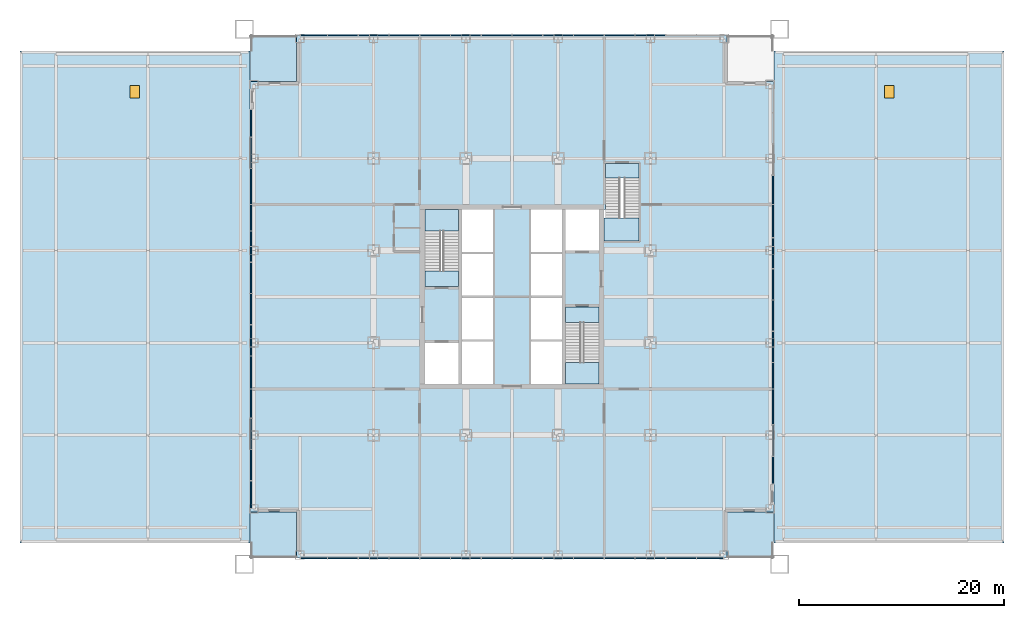
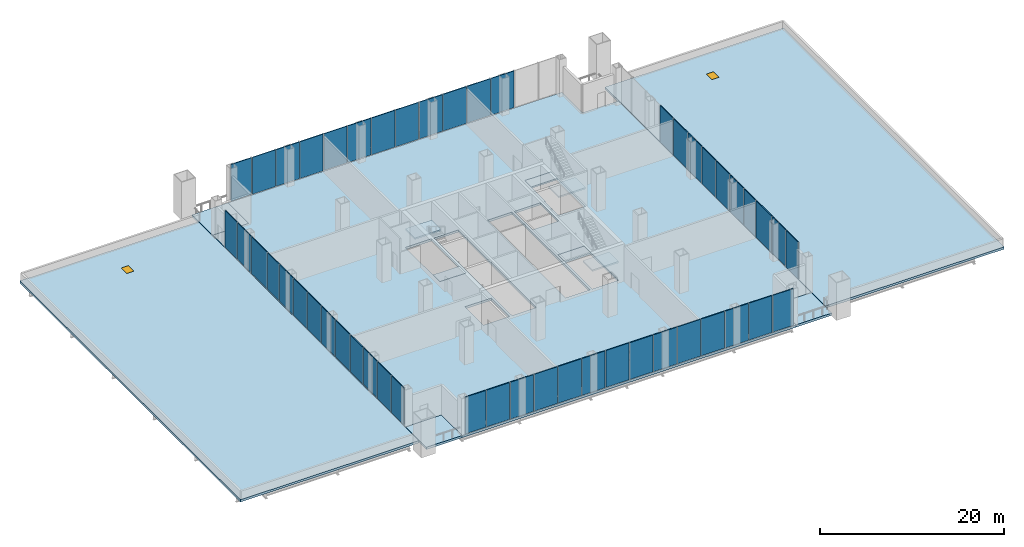
# One storey, part 12 of 16: 49 plates, 12 slabs, 2 windows, 2 openings, 7 elements without a shape of their own.
"""IFC4 building model written with IfcOpenShell, lengths in metres."""

from ifc_helpers import new_model, si_unit, direction, frame, origin, origin_2d, place, context, subcontext, project, spatial, polyline, rectangle, outline, extrude, material, layer, layer_set, type_object, element, fill, aggregate, save


model = new_model("IFC4")

# Units and contexts
model_context = context("Model", 3, precision=1e-05, world=origin(), true_north=direction((0.0, 1.0)))
body_context = subcontext(model_context, "Body", "Model", "MODEL_VIEW")
ifc_project = project(units=[si_unit("LENGTHUNIT", "METRE"), si_unit("AREAUNIT", "SQUARE_METRE"), si_unit("VOLUMEUNIT", "CUBIC_METRE"), si_unit("PLANEANGLEUNIT", "RADIAN"), si_unit("MASSUNIT", "GRAM", prefix="KILO")], contexts=[model_context])

# Site, building, storey
site_placement = place(None, origin())
site = spatial("IfcSite", under=ifc_project, at=site_placement, CompositionType="ELEMENT")
building_placement = place(site_placement, origin())
building = spatial("IfcBuilding", under=site, at=building_placement, Name="Malebo Sky Hospital", CompositionType="ELEMENT")
storey_placement = place(building_placement, frame((0.0, 0.0, 26.0)))
storey = spatial("IfcBuildingStorey", under=building, at=storey_placement, Name="L05", CompositionType="ELEMENT", Elevation=26.0)

# Slab
ifc_material_1 = material(Name="Concrete C40/50", Category="concrete")
ifc_layer_1 = layer(ifc_material_1, 0.300048828125)
ifc_layer_set_1 = layer_set([ifc_layer_1], Name="COMPOSITE FLOOR SLAB 300")
slab_type_1 = type_object("IfcSlabType", Name="COMPOSITE FLOOR SLAB 300", PredefinedType="FLOOR", material=ifc_layer_set_1)
slab_1_placement = place(storey_placement, frame((0.0, 0.0, -0.300048828125)))
element("IfcSlab", 1, at=slab_1_placement, inside=storey, type_object=slab_type_1, Name="Floor slab L05", PredefinedType="FLOOR", context=body_context, shape_type="SweptSolid", body=[
    extrude(outline(polyline([(39.0, 87.5), (39.0, 83.0), (34.5, 83.0), (34.5, 41.0), (39.0, 41.0), (39.0, 36.5), (81.0, 36.5), (81.0, 41.0), (85.5, 41.0), (85.5, 83.0), (81.0, 83.0), (81.0, 87.5), (39.0, 87.5)]), holes=[polyline([(55.10009765625, 70.5), (58.14990234375, 70.5), (58.14990234375, 53.5), (55.10009765625, 53.5), (55.10009765625, 70.5)]), polyline([(64.89990234375, 70.5), (64.89990234375, 53.5), (61.85009765625, 53.5), (61.85009765625, 70.5), (64.89990234375, 70.5)]), polyline([(54.800048828125, 63.0), (51.5, 63.0), (51.5, 70.5), (54.800048828125, 70.5), (54.800048828125, 63.0)]), polyline([(51.5, 53.5), (51.5, 57.5), (54.800048828125, 57.5), (54.800048828125, 53.5), (51.5, 53.5)]), polyline([(65.199951171875, 61.0), (68.5, 61.0), (68.5, 53.5), (65.199951171875, 53.5), (65.199951171875, 61.0)]), polyline([(68.5, 70.5), (68.5, 66.5), (65.199951171875, 66.5), (65.199951171875, 70.5), (68.5, 70.5)]), polyline([(69.0, 67.449951171875), (69.0, 70.52001953125), (69.10009765625, 70.52001953125), (69.10009765625, 75.0), (72.39990234375, 75.0), (72.39990234375, 67.449951171875), (69.10009765625, 67.449951171875), (69.0, 67.449951171875)])]), origin(), (0.0, 0.0, 1.0), 0.300048828125),
])

# Curtain wall, plates
ifc_material_2 = material(Name="Anodised aluminium, natural silver", Category="aluminium")
ifc_layer_2 = layer(ifc_material_2, 0.25)
ifc_layer_set_2 = layer_set([ifc_layer_2], Name="PLANT LOUVRE SCREEN")
curtain_wall_type = type_object("IfcCurtainWallType", Name="PLANT LOUVRE SCREEN", PredefinedType="NOTDEFINED", material=ifc_layer_set_2)
curtain_wall_1_placement = place(storey_placement, origin())
curtain_wall_1 = element("IfcCurtainWall", 2, at=curtain_wall_1_placement, inside=storey, type_object=curtain_wall_type, Name="PLANT curtain wall N", PredefinedType="NOTDEFINED")
ifc_layer_3 = layer(ifc_material_2, 0.10009765625)
ifc_layer_set_3 = layer_set([ifc_layer_3], Name="LOUVRE PANEL 100")
plate_type = type_object("IfcPlateType", Name="LOUVRE PANEL 100", PredefinedType="CURTAIN_PANEL", material=ifc_layer_set_3)
plate_1_placement = place(storey_placement, frame((40.668701171875, 87.5, 0.10009765625), z_axis=(0.0, 0.0, 1.0), x_axis=(1.0, 0.0, 0.0)))
plate_1 = element("IfcPlate", 3, at=plate_1_placement, type_object=plate_type, Name="Panel 1", PredefinedType="CURTAIN_PANEL", context=body_context, shape_type="SweptSolid", body=[
    extrude(rectangle(XDim=2.58740234375, YDim=0.10009765625, at=origin_2d()), origin(), (0.0, 0.0, 1.0), 4.889892578125),
])
plate_2_placement = place(storey_placement, frame((43.5, 87.5, 0.10009765625), z_axis=(0.0, 0.0, 1.0), x_axis=(1.0, 0.0, 0.0)))
plate_2 = element("IfcPlate", 4, at=plate_2_placement, type_object=plate_type, Name="Panel 2", PredefinedType="CURTAIN_PANEL", context=body_context, shape_type="SweptSolid", body=[
    extrude(rectangle(XDim=2.925048828125, YDim=0.10009765625, at=origin_2d()), origin(), (0.0, 0.0, 1.0), 4.889892578125),
])
plate_3_placement = place(storey_placement, frame((46.5, 87.5, 0.10009765625), z_axis=(0.0, 0.0, 1.0), x_axis=(1.0, 0.0, 0.0)))
plate_3 = element("IfcPlate", 5, at=plate_3_placement, type_object=plate_type, Name="Panel 3", PredefinedType="CURTAIN_PANEL", context=body_context, shape_type="SweptSolid", body=[
    extrude(rectangle(XDim=2.925048828125, YDim=0.10009765625, at=origin_2d()), origin(), (0.0, 0.0, 1.0), 4.889892578125),
])
plate_4_placement = place(storey_placement, frame((49.5, 87.5, 0.10009765625), z_axis=(0.0, 0.0, 1.0), x_axis=(1.0, 0.0, 0.0)))
plate_4 = element("IfcPlate", 6, at=plate_4_placement, type_object=plate_type, Name="Panel 4", PredefinedType="CURTAIN_PANEL", context=body_context, shape_type="SweptSolid", body=[
    extrude(rectangle(XDim=2.925048828125, YDim=0.10009765625, at=origin_2d()), origin(), (0.0, 0.0, 1.0), 4.889892578125),
])
plate_5_placement = place(storey_placement, frame((52.5, 87.5, 0.10009765625), z_axis=(0.0, 0.0, 1.0), x_axis=(1.0, 0.0, 0.0)))
plate_5 = element("IfcPlate", 7, at=plate_5_placement, type_object=plate_type, Name="Panel 5", PredefinedType="CURTAIN_PANEL", context=body_context, shape_type="SweptSolid", body=[
    extrude(rectangle(XDim=2.925048828125, YDim=0.10009765625, at=origin_2d()), origin(), (0.0, 0.0, 1.0), 4.889892578125),
])
plate_6_placement = place(storey_placement, frame((55.5, 87.5, 0.10009765625), z_axis=(0.0, 0.0, 1.0), x_axis=(1.0, 0.0, 0.0)))
plate_6 = element("IfcPlate", 8, at=plate_6_placement, type_object=plate_type, Name="Panel 6", PredefinedType="CURTAIN_PANEL", context=body_context, shape_type="SweptSolid", body=[
    extrude(rectangle(XDim=2.925048828125, YDim=0.10009765625, at=origin_2d()), origin(), (0.0, 0.0, 1.0), 4.889892578125),
])
plate_7_placement = place(storey_placement, frame((58.5, 87.5, 0.10009765625), z_axis=(0.0, 0.0, 1.0), x_axis=(1.0, 0.0, 0.0)))
plate_7 = element("IfcPlate", 9, at=plate_7_placement, type_object=plate_type, Name="Panel 7", PredefinedType="CURTAIN_PANEL", context=body_context, shape_type="SweptSolid", body=[
    extrude(rectangle(XDim=2.925048828125, YDim=0.10009765625, at=origin_2d()), origin(), (0.0, 0.0, 1.0), 4.889892578125),
])
plate_8_placement = place(storey_placement, frame((61.5, 87.5, 0.10009765625), z_axis=(0.0, 0.0, 1.0), x_axis=(1.0, 0.0, 0.0)))
plate_8 = element("IfcPlate", 10, at=plate_8_placement, type_object=plate_type, Name="Panel 8", PredefinedType="CURTAIN_PANEL", context=body_context, shape_type="SweptSolid", body=[
    extrude(rectangle(XDim=2.925048828125, YDim=0.10009765625, at=origin_2d()), origin(), (0.0, 0.0, 1.0), 4.889892578125),
])
plate_9_placement = place(storey_placement, frame((64.5, 87.5, 0.10009765625), z_axis=(0.0, 0.0, 1.0), x_axis=(1.0, 0.0, 0.0)))
plate_9 = element("IfcPlate", 11, at=plate_9_placement, type_object=plate_type, Name="Panel 9", PredefinedType="CURTAIN_PANEL", context=body_context, shape_type="SweptSolid", body=[
    extrude(rectangle(XDim=2.925048828125, YDim=0.10009765625, at=origin_2d()), origin(), (0.0, 0.0, 1.0), 4.889892578125),
])
plate_10_placement = place(storey_placement, frame((67.5, 87.5, 0.10009765625), z_axis=(0.0, 0.0, 1.0), x_axis=(1.0, 0.0, 0.0)))
plate_10 = element("IfcPlate", 12, at=plate_10_placement, type_object=plate_type, Name="Panel 10", PredefinedType="CURTAIN_PANEL", context=body_context, shape_type="SweptSolid", body=[
    extrude(rectangle(XDim=2.925048828125, YDim=0.10009765625, at=origin_2d()), origin(), (0.0, 0.0, 1.0), 4.889892578125),
])
plate_11_placement = place(storey_placement, frame((70.5, 87.5, 0.10009765625), z_axis=(0.0, 0.0, 1.0), x_axis=(1.0, 0.0, 0.0)))
plate_11 = element("IfcPlate", 13, at=plate_11_placement, type_object=plate_type, Name="Panel 11", PredefinedType="CURTAIN_PANEL", context=body_context, shape_type="SweptSolid", body=[
    extrude(rectangle(XDim=2.925048828125, YDim=0.10009765625, at=origin_2d()), origin(), (0.0, 0.0, 1.0), 4.889892578125),
])
plate_12_placement = place(storey_placement, frame((73.5, 87.5, 0.10009765625), z_axis=(0.0, 0.0, 1.0), x_axis=(1.0, 0.0, 0.0)))
plate_12 = element("IfcPlate", 14, at=plate_12_placement, type_object=plate_type, Name="Panel 12", PredefinedType="CURTAIN_PANEL", context=body_context, shape_type="SweptSolid", body=[
    extrude(rectangle(XDim=2.925048828125, YDim=0.10009765625, at=origin_2d()), origin(), (0.0, 0.0, 1.0), 4.889892578125),
])
aggregate(curtain_wall_1, [plate_1, plate_2, plate_3, plate_4, plate_5, plate_6, plate_7, plate_8, plate_9, plate_10, plate_11, plate_12])

curtain_wall_2_placement = place(storey_placement, origin())
curtain_wall_2 = element("IfcCurtainWall", 15, at=curtain_wall_2_placement, inside=storey, type_object=curtain_wall_type, Name="PLANT curtain wall W", PredefinedType="NOTDEFINED")
plate_13_placement = place(storey_placement, frame((34.5, 42.69189453125, 0.10009765625), z_axis=(0.0, 0.0, 1.0), x_axis=(0.0, 1.0, 0.0)))
plate_13 = element("IfcPlate", 16, at=plate_13_placement, type_object=plate_type, Name="Panel 1", PredefinedType="CURTAIN_PANEL", context=body_context, shape_type="SweptSolid", body=[
    extrude(rectangle(XDim=2.6337890625, YDim=0.10009765625, at=origin_2d()), origin(), (0.0, 0.0, 1.0), 4.889892578125),
])
plate_14_placement = place(storey_placement, frame((34.5, 45.5693359375, 0.10009765625), z_axis=(0.0, 0.0, 1.0), x_axis=(0.0, 1.0, 0.0)))
plate_14 = element("IfcPlate", 17, at=plate_14_placement, type_object=plate_type, Name="Panel 2", PredefinedType="CURTAIN_PANEL", context=body_context, shape_type="SweptSolid", body=[
    extrude(rectangle(XDim=2.97119140625, YDim=0.10009765625, at=origin_2d()), origin(), (0.0, 0.0, 1.0), 4.889892578125),
])
plate_15_placement = place(storey_placement, frame((34.5, 48.615478515625, 0.1669921875), z_axis=(0.0, 0.0, 1.0), x_axis=(0.0, 1.0, 0.0)))
plate_15 = element("IfcPlate", 18, at=plate_15_placement, type_object=plate_type, Name="Panel 3", PredefinedType="CURTAIN_PANEL", context=body_context, shape_type="SweptSolid", body=[
    extrude(outline(polyline([(-1.485595703125, 0.0), (1.485595703125, 0.0), (1.485595703125, 4.822998046875), (-1.485595703125, 4.822998046875), (-1.485595703125, 0.0)])), frame((0.0, 0.050048828125, 0.0), z_axis=(0.0, -1.0, 0.0), x_axis=(1.0, 0.0, 0.0)), (0.0, 0.0, 1.0), 0.10009765625),
])
plate_16_placement = place(storey_placement, frame((34.5, 51.5693359375, 0.10009765625), z_axis=(0.0, 0.0, 1.0), x_axis=(0.0, 1.0, 0.0)))
plate_16 = element("IfcPlate", 19, at=plate_16_placement, type_object=plate_type, Name="Panel 4", PredefinedType="CURTAIN_PANEL", context=body_context, shape_type="SweptSolid", body=[
    extrude(rectangle(XDim=2.78662109375, YDim=0.10009765625, at=origin_2d()), origin(), (0.0, 0.0, 1.0), 4.889892578125),
])
plate_17_placement = place(storey_placement, frame((34.5, 54.615478515625, 0.10009765625), z_axis=(0.0, 0.0, 1.0), x_axis=(0.0, 1.0, 0.0)))
plate_17 = element("IfcPlate", 20, at=plate_17_placement, type_object=plate_type, Name="Panel 5", PredefinedType="CURTAIN_PANEL", context=body_context, shape_type="SweptSolid", body=[
    extrude(rectangle(XDim=3.15576171875, YDim=0.10009765625, at=origin_2d()), origin(), (0.0, 0.0, 1.0), 4.889892578125),
])
plate_18_placement = place(storey_placement, frame((34.5, 57.75390625, 0.10009765625), z_axis=(0.0, 0.0, 1.0), x_axis=(0.0, 1.0, 0.0)))
plate_18 = element("IfcPlate", 21, at=plate_18_placement, type_object=plate_type, Name="Panel 6", PredefinedType="CURTAIN_PANEL", context=body_context, shape_type="SweptSolid", body=[
    extrude(rectangle(XDim=2.97119140625, YDim=0.10009765625, at=origin_2d()), origin(), (0.0, 0.0, 1.0), 4.889892578125),
])
plate_19_placement = place(storey_placement, frame((34.5, 60.800048828125, 0.10009765625), z_axis=(0.0, 0.0, 1.0), x_axis=(0.0, 1.0, 0.0)))
plate_19 = element("IfcPlate", 22, at=plate_19_placement, type_object=plate_type, Name="Panel 7", PredefinedType="CURTAIN_PANEL", context=body_context, shape_type="SweptSolid", body=[
    extrude(rectangle(XDim=2.97119140625, YDim=0.10009765625, at=origin_2d()), origin(), (0.0, 0.0, 1.0), 4.889892578125),
])
plate_20_placement = place(storey_placement, frame((34.5, 63.84619140625, 0.10009765625), z_axis=(0.0, 0.0, 1.0), x_axis=(0.0, 1.0, 0.0)))
plate_20 = element("IfcPlate", 23, at=plate_20_placement, type_object=plate_type, Name="Panel 8", PredefinedType="CURTAIN_PANEL", context=body_context, shape_type="SweptSolid", body=[
    extrude(rectangle(XDim=2.97119140625, YDim=0.10009765625, at=origin_2d()), origin(), (0.0, 0.0, 1.0), 4.889892578125),
])
plate_21_placement = place(storey_placement, frame((34.5, 66.892333984375, 0.10009765625), z_axis=(0.0, 0.0, 1.0), x_axis=(0.0, 1.0, 0.0)))
plate_21 = element("IfcPlate", 24, at=plate_21_placement, type_object=plate_type, Name="Panel 9", PredefinedType="CURTAIN_PANEL", context=body_context, shape_type="SweptSolid", body=[
    extrude(rectangle(XDim=2.97119140625, YDim=0.10009765625, at=origin_2d()), origin(), (0.0, 0.0, 1.0), 4.889892578125),
])
plate_22_placement = place(storey_placement, frame((34.5, 69.707763671875, 0.10009765625), z_axis=(0.0, 0.0, 1.0), x_axis=(0.0, 1.0, 0.0)))
plate_22 = element("IfcPlate", 25, at=plate_22_placement, type_object=plate_type, Name="Panel 10", PredefinedType="CURTAIN_PANEL", context=body_context, shape_type="SweptSolid", body=[
    extrude(rectangle(XDim=2.509521484375, YDim=0.10009765625, at=origin_2d()), origin(), (0.0, 0.0, 1.0), 4.889892578125),
])
plate_23_placement = place(storey_placement, frame((34.5, 72.75390625, 0.10009765625), z_axis=(0.0, 0.0, 1.0), x_axis=(0.0, 1.0, 0.0)))
plate_23 = element("IfcPlate", 26, at=plate_23_placement, type_object=plate_type, Name="Panel 11", PredefinedType="CURTAIN_PANEL", context=body_context, shape_type="SweptSolid", body=[
    extrude(rectangle(XDim=3.4326171875, YDim=0.10009765625, at=origin_2d()), origin(), (0.0, 0.0, 1.0), 4.889892578125),
])
plate_24_placement = place(storey_placement, frame((34.5, 76.03076171875, 0.1669921875), z_axis=(0.0, 0.0, 1.0), x_axis=(0.0, 1.0, 0.0)))
plate_24 = element("IfcPlate", 27, at=plate_24_placement, type_object=plate_type, Name="Panel 12", PredefinedType="CURTAIN_PANEL", context=body_context, shape_type="SweptSolid", body=[
    extrude(outline(polyline([(-1.485595703125, 0.0), (1.485595703125, 0.0), (1.485595703125, 4.822998046875), (-1.485595703125, 4.822998046875), (-1.485595703125, 0.0)])), frame((0.0, 0.050048828125, 0.0), z_axis=(0.0, -1.0, 0.0), x_axis=(1.0, 0.0, 0.0)), (0.0, 0.0, 1.0), 0.10009765625),
])
plate_25_placement = place(storey_placement, frame((34.5, 78.908203125, 0.10009765625), z_axis=(0.0, 0.0, 1.0), x_axis=(0.0, 1.0, 0.0)))
plate_25 = element("IfcPlate", 28, at=plate_25_placement, type_object=plate_type, Name="Panel 13", PredefinedType="CURTAIN_PANEL", context=body_context, shape_type="SweptSolid", body=[
    extrude(rectangle(XDim=2.6337890625, YDim=0.10009765625, at=origin_2d()), origin(), (0.0, 0.0, 1.0), 4.889892578125),
])
aggregate(curtain_wall_2, [plate_13, plate_14, plate_15, plate_16, plate_17, plate_18, plate_19, plate_20, plate_21, plate_22, plate_23, plate_24, plate_25])

curtain_wall_3_placement = place(storey_placement, origin())
curtain_wall_3 = element("IfcCurtainWall", 29, at=curtain_wall_3_placement, inside=storey, type_object=curtain_wall_type, Name="PLANT curtain wall S", PredefinedType="NOTDEFINED")
plate_26_placement = place(storey_placement, frame((79.331298828125, 36.5, 0.10009765625), z_axis=(0.0, 0.0, 1.0), x_axis=(-1.0, 0.0, 0.0)))
plate_26 = element("IfcPlate", 30, at=plate_26_placement, type_object=plate_type, Name="Panel 1", PredefinedType="CURTAIN_PANEL", context=body_context, shape_type="SweptSolid", body=[
    extrude(rectangle(XDim=2.58740234375, YDim=0.10009765625, at=origin_2d()), origin(), (0.0, 0.0, 1.0), 4.889892578125),
])
plate_27_placement = place(storey_placement, frame((76.5, 36.5, 0.10009765625), z_axis=(0.0, 0.0, 1.0), x_axis=(-1.0, 0.0, 0.0)))
plate_27 = element("IfcPlate", 31, at=plate_27_placement, type_object=plate_type, Name="Panel 2", PredefinedType="CURTAIN_PANEL", context=body_context, shape_type="SweptSolid", body=[
    extrude(rectangle(XDim=2.925048828125, YDim=0.10009765625, at=origin_2d()), origin(), (0.0, 0.0, 1.0), 4.889892578125),
])
plate_28_placement = place(storey_placement, frame((73.5, 36.5, 0.10009765625), z_axis=(0.0, 0.0, 1.0), x_axis=(-1.0, 0.0, 0.0)))
plate_28 = element("IfcPlate", 32, at=plate_28_placement, type_object=plate_type, Name="Panel 3", PredefinedType="CURTAIN_PANEL", context=body_context, shape_type="SweptSolid", body=[
    extrude(rectangle(XDim=2.925048828125, YDim=0.10009765625, at=origin_2d()), origin(), (0.0, 0.0, 1.0), 4.889892578125),
])
plate_29_placement = place(storey_placement, frame((70.5, 36.5, 0.10009765625), z_axis=(0.0, 0.0, 1.0), x_axis=(-1.0, 0.0, 0.0)))
plate_29 = element("IfcPlate", 33, at=plate_29_placement, type_object=plate_type, Name="Panel 4", PredefinedType="CURTAIN_PANEL", context=body_context, shape_type="SweptSolid", body=[
    extrude(rectangle(XDim=2.925048828125, YDim=0.10009765625, at=origin_2d()), origin(), (0.0, 0.0, 1.0), 4.889892578125),
])
plate_30_placement = place(storey_placement, frame((67.5, 36.5, 0.10009765625), z_axis=(0.0, 0.0, 1.0), x_axis=(-1.0, 0.0, 0.0)))
plate_30 = element("IfcPlate", 34, at=plate_30_placement, type_object=plate_type, Name="Panel 5", PredefinedType="CURTAIN_PANEL", context=body_context, shape_type="SweptSolid", body=[
    extrude(rectangle(XDim=2.925048828125, YDim=0.10009765625, at=origin_2d()), origin(), (0.0, 0.0, 1.0), 4.889892578125),
])
plate_31_placement = place(storey_placement, frame((64.5, 36.5, 0.10009765625), z_axis=(0.0, 0.0, 1.0), x_axis=(-1.0, 0.0, 0.0)))
plate_31 = element("IfcPlate", 35, at=plate_31_placement, type_object=plate_type, Name="Panel 6", PredefinedType="CURTAIN_PANEL", context=body_context, shape_type="SweptSolid", body=[
    extrude(rectangle(XDim=2.925048828125, YDim=0.10009765625, at=origin_2d()), origin(), (0.0, 0.0, 1.0), 4.889892578125),
])
plate_32_placement = place(storey_placement, frame((61.5, 36.5, 0.10009765625), z_axis=(0.0, 0.0, 1.0), x_axis=(-1.0, 0.0, 0.0)))
plate_32 = element("IfcPlate", 36, at=plate_32_placement, type_object=plate_type, Name="Panel 7", PredefinedType="CURTAIN_PANEL", context=body_context, shape_type="SweptSolid", body=[
    extrude(rectangle(XDim=2.925048828125, YDim=0.10009765625, at=origin_2d()), origin(), (0.0, 0.0, 1.0), 4.889892578125),
])
plate_33_placement = place(storey_placement, frame((58.5, 36.5, 0.10009765625), z_axis=(0.0, 0.0, 1.0), x_axis=(-1.0, 0.0, 0.0)))
plate_33 = element("IfcPlate", 37, at=plate_33_placement, type_object=plate_type, Name="Panel 8", PredefinedType="CURTAIN_PANEL", context=body_context, shape_type="SweptSolid", body=[
    extrude(rectangle(XDim=2.925048828125, YDim=0.10009765625, at=origin_2d()), origin(), (0.0, 0.0, 1.0), 4.889892578125),
])
plate_34_placement = place(storey_placement, frame((55.5, 36.5, 0.10009765625), z_axis=(0.0, 0.0, 1.0), x_axis=(-1.0, 0.0, 0.0)))
plate_34 = element("IfcPlate", 38, at=plate_34_placement, type_object=plate_type, Name="Panel 9", PredefinedType="CURTAIN_PANEL", context=body_context, shape_type="SweptSolid", body=[
    extrude(rectangle(XDim=2.925048828125, YDim=0.10009765625, at=origin_2d()), origin(), (0.0, 0.0, 1.0), 4.889892578125),
])
plate_35_placement = place(storey_placement, frame((52.5, 36.5, 0.10009765625), z_axis=(0.0, 0.0, 1.0), x_axis=(-1.0, 0.0, 0.0)))
plate_35 = element("IfcPlate", 39, at=plate_35_placement, type_object=plate_type, Name="Panel 10", PredefinedType="CURTAIN_PANEL", context=body_context, shape_type="SweptSolid", body=[
    extrude(rectangle(XDim=2.925048828125, YDim=0.10009765625, at=origin_2d()), origin(), (0.0, 0.0, 1.0), 4.889892578125),
])
plate_36_placement = place(storey_placement, frame((49.5, 36.5, 0.10009765625), z_axis=(0.0, 0.0, 1.0), x_axis=(-1.0, 0.0, 0.0)))
plate_36 = element("IfcPlate", 40, at=plate_36_placement, type_object=plate_type, Name="Panel 11", PredefinedType="CURTAIN_PANEL", context=body_context, shape_type="SweptSolid", body=[
    extrude(rectangle(XDim=2.925048828125, YDim=0.10009765625, at=origin_2d()), origin(), (0.0, 0.0, 1.0), 4.889892578125),
])
plate_37_placement = place(storey_placement, frame((46.5, 36.5, 0.10009765625), z_axis=(0.0, 0.0, 1.0), x_axis=(-1.0, 0.0, 0.0)))
plate_37 = element("IfcPlate", 41, at=plate_37_placement, type_object=plate_type, Name="Panel 12", PredefinedType="CURTAIN_PANEL", context=body_context, shape_type="SweptSolid", body=[
    extrude(rectangle(XDim=2.925048828125, YDim=0.10009765625, at=origin_2d()), origin(), (0.0, 0.0, 1.0), 4.889892578125),
])
plate_38_placement = place(storey_placement, frame((43.5, 36.5, 0.10009765625), z_axis=(0.0, 0.0, 1.0), x_axis=(-1.0, 0.0, 0.0)))
plate_38 = element("IfcPlate", 42, at=plate_38_placement, type_object=plate_type, Name="Panel 13", PredefinedType="CURTAIN_PANEL", context=body_context, shape_type="SweptSolid", body=[
    extrude(rectangle(XDim=2.925048828125, YDim=0.10009765625, at=origin_2d()), origin(), (0.0, 0.0, 1.0), 4.889892578125),
])
plate_39_placement = place(storey_placement, frame((40.668701171875, 36.5, 0.10009765625), z_axis=(0.0, 0.0, 1.0), x_axis=(-1.0, 0.0, 0.0)))
plate_39 = element("IfcPlate", 43, at=plate_39_placement, type_object=plate_type, Name="Panel 14", PredefinedType="CURTAIN_PANEL", context=body_context, shape_type="SweptSolid", body=[
    extrude(rectangle(XDim=2.58740234375, YDim=0.10009765625, at=origin_2d()), origin(), (0.0, 0.0, 1.0), 4.889892578125),
])
aggregate(curtain_wall_3, [plate_26, plate_27, plate_28, plate_29, plate_30, plate_31, plate_32, plate_33, plate_34, plate_35, plate_36, plate_37, plate_38, plate_39])

curtain_wall_4_placement = place(storey_placement, origin())
curtain_wall_4 = element("IfcCurtainWall", 44, at=curtain_wall_4_placement, inside=storey, type_object=curtain_wall_type, Name="PLANT curtain wall E", PredefinedType="NOTDEFINED")
plate_40_placement = place(storey_placement, frame((85.5, 72.4306640625, 0.10009765625), z_axis=(0.0, 0.0, 1.0), x_axis=(0.0, -1.0, 0.0)))
plate_40 = element("IfcPlate", 45, at=plate_40_placement, type_object=plate_type, Name="Panel 4", PredefinedType="CURTAIN_PANEL", context=body_context, shape_type="SweptSolid", body=[
    extrude(rectangle(XDim=2.78662109375, YDim=0.10009765625, at=origin_2d()), origin(), (0.0, 0.0, 1.0), 4.889892578125),
])
plate_41_placement = place(storey_placement, frame((85.5, 69.384521484375, 0.10009765625), z_axis=(0.0, 0.0, 1.0), x_axis=(0.0, -1.0, 0.0)))
plate_41 = element("IfcPlate", 46, at=plate_41_placement, type_object=plate_type, Name="Panel 5", PredefinedType="CURTAIN_PANEL", context=body_context, shape_type="SweptSolid", body=[
    extrude(rectangle(XDim=3.15576171875, YDim=0.10009765625, at=origin_2d()), origin(), (0.0, 0.0, 1.0), 4.889892578125),
])
plate_42_placement = place(storey_placement, frame((85.5, 66.24609375, 0.10009765625), z_axis=(0.0, 0.0, 1.0), x_axis=(0.0, -1.0, 0.0)))
plate_42 = element("IfcPlate", 47, at=plate_42_placement, type_object=plate_type, Name="Panel 6", PredefinedType="CURTAIN_PANEL", context=body_context, shape_type="SweptSolid", body=[
    extrude(rectangle(XDim=2.97119140625, YDim=0.10009765625, at=origin_2d()), origin(), (0.0, 0.0, 1.0), 4.889892578125),
])
plate_43_placement = place(storey_placement, frame((85.5, 63.199951171875, 0.10009765625), z_axis=(0.0, 0.0, 1.0), x_axis=(0.0, -1.0, 0.0)))
plate_43 = element("IfcPlate", 48, at=plate_43_placement, type_object=plate_type, Name="Panel 7", PredefinedType="CURTAIN_PANEL", context=body_context, shape_type="SweptSolid", body=[
    extrude(rectangle(XDim=2.97119140625, YDim=0.10009765625, at=origin_2d()), origin(), (0.0, 0.0, 1.0), 4.889892578125),
])
plate_44_placement = place(storey_placement, frame((85.5, 60.15380859375, 0.10009765625), z_axis=(0.0, 0.0, 1.0), x_axis=(0.0, -1.0, 0.0)))
plate_44 = element("IfcPlate", 49, at=plate_44_placement, type_object=plate_type, Name="Panel 8", PredefinedType="CURTAIN_PANEL", context=body_context, shape_type="SweptSolid", body=[
    extrude(rectangle(XDim=2.97119140625, YDim=0.10009765625, at=origin_2d()), origin(), (0.0, 0.0, 1.0), 4.889892578125),
])
plate_45_placement = place(storey_placement, frame((85.5, 57.107666015625, 0.10009765625), z_axis=(0.0, 0.0, 1.0), x_axis=(0.0, -1.0, 0.0)))
plate_45 = element("IfcPlate", 50, at=plate_45_placement, type_object=plate_type, Name="Panel 9", PredefinedType="CURTAIN_PANEL", context=body_context, shape_type="SweptSolid", body=[
    extrude(rectangle(XDim=2.97119140625, YDim=0.10009765625, at=origin_2d()), origin(), (0.0, 0.0, 1.0), 4.889892578125),
])
plate_46_placement = place(storey_placement, frame((85.5, 54.292236328125, 0.10009765625), z_axis=(0.0, 0.0, 1.0), x_axis=(0.0, -1.0, 0.0)))
plate_46 = element("IfcPlate", 51, at=plate_46_placement, type_object=plate_type, Name="Panel 10", PredefinedType="CURTAIN_PANEL", context=body_context, shape_type="SweptSolid", body=[
    extrude(rectangle(XDim=2.509521484375, YDim=0.10009765625, at=origin_2d()), origin(), (0.0, 0.0, 1.0), 4.889892578125),
])
plate_47_placement = place(storey_placement, frame((85.5, 51.24609375, 0.10009765625), z_axis=(0.0, 0.0, 1.0), x_axis=(0.0, -1.0, 0.0)))
plate_47 = element("IfcPlate", 52, at=plate_47_placement, type_object=plate_type, Name="Panel 11", PredefinedType="CURTAIN_PANEL", context=body_context, shape_type="SweptSolid", body=[
    extrude(rectangle(XDim=3.4326171875, YDim=0.10009765625, at=origin_2d()), origin(), (0.0, 0.0, 1.0), 4.889892578125),
])
plate_48_placement = place(storey_placement, frame((85.5, 47.96923828125, 0.1669921875), z_axis=(0.0, 0.0, 1.0), x_axis=(0.0, -1.0, 0.0)))
plate_48 = element("IfcPlate", 53, at=plate_48_placement, type_object=plate_type, Name="Panel 12", PredefinedType="CURTAIN_PANEL", context=body_context, shape_type="SweptSolid", body=[
    extrude(outline(polyline([(-1.485595703125, 0.0), (1.485595703125, 0.0), (1.485595703125, 4.822998046875), (-1.485595703125, 4.822998046875), (-1.485595703125, 0.0)])), frame((0.0, 0.050048828125, 0.0), z_axis=(0.0, -1.0, 0.0), x_axis=(1.0, 0.0, 0.0)), (0.0, 0.0, 1.0), 0.10009765625),
])
plate_49_placement = place(storey_placement, frame((85.5, 45.091796875, 0.10009765625), z_axis=(0.0, 0.0, 1.0), x_axis=(0.0, -1.0, 0.0)))
plate_49 = element("IfcPlate", 54, at=plate_49_placement, type_object=plate_type, Name="Panel 13", PredefinedType="CURTAIN_PANEL", context=body_context, shape_type="SweptSolid", body=[
    extrude(rectangle(XDim=2.6337890625, YDim=0.10009765625, at=origin_2d()), origin(), (0.0, 0.0, 1.0), 4.889892578125),
])
aggregate(curtain_wall_4, [plate_40, plate_41, plate_42, plate_43, plate_44, plate_45, plate_46, plate_47, plate_48, plate_49])

# Slab, opening, window
ifc_layer_4 = layer(ifc_material_1, 0.300048828125)
ifc_layer_set_4 = layer_set([ifc_layer_4], Name="ROOF SLAB 300")
slab_type_2 = type_object("IfcSlabType", Name="ROOF SLAB 300", PredefinedType="ROOF", material=ifc_layer_set_4)
slab_2_placement = place(storey_placement, frame((0.0, 0.0, -0.300048828125)))
slab_2 = element("IfcSlab", 55, at=slab_2_placement, inside=storey, type_object=slab_type_2, Name="Podium roof west wing", PredefinedType="ROOF", context=body_context, shape_type="SweptSolid", body=[
    extrude(outline(polyline([(34.449951171875, 38.0), (34.449951171875, 86.0), (12.0, 86.0), (12.0, 38.0), (34.449951171875, 38.0)])), origin(), (0.0, 0.0, 1.0), 0.300048828125),
])
opening_1_placement = place(slab_2_placement, frame((23.199951171875, 82.0, 0.0)))
opening_1 = element("IfcOpeningElement", 56, at=opening_1_placement, cuts=slab_2, Name="Opening RH1", PredefinedType="OPENING", context=body_context, shape_type="SweptSolid", body=[
    extrude(rectangle(XDim=0.89990234375, YDim=1.199951171875, at=origin_2d()), origin(), (0.0, 0.0, 1.0), 0.300048828125),
])
window_type = type_object("IfcWindowType", Name="ROOF ACCESS HATCH 900x1200", PartitioningType="SINGLE_PANEL", PredefinedType="SKYLIGHT", material=ifc_material_2)
window_1_placement = place(opening_1_placement, frame((0.0, 0.0, 0.25)))
window_1 = element("IfcWindow", 57, at=window_1_placement, inside=storey, type_object=window_type, Name="Roof access hatch", OverallHeight=1.199951171875, OverallWidth=0.89990234375, PartitioningType="SINGLE_PANEL", PredefinedType="SKYLIGHT", context=body_context, shape_type="SweptSolid", body=[
    extrude(rectangle(XDim=0.89990234375, YDim=1.199951171875, at=origin_2d()), origin(), (0.0, 0.0, 1.0), 0.050048828125),
])
fill(opening_1, window_1)

slab_3_placement = place(storey_placement, frame((0.0, 0.0, -0.300048828125)))
slab_3 = element("IfcSlab", 58, at=slab_3_placement, inside=storey, type_object=slab_type_2, Name="Podium roof east wing", PredefinedType="ROOF", context=body_context, shape_type="SweptSolid", body=[
    extrude(outline(polyline([(108.0, 38.0), (108.0, 86.0), (85.550048828125, 86.0), (85.550048828125, 38.0), (108.0, 38.0)])), origin(), (0.0, 0.0, 1.0), 0.300048828125),
])
opening_2_placement = place(slab_3_placement, frame((96.800048828125, 82.0, 0.0)))
opening_2 = element("IfcOpeningElement", 59, at=opening_2_placement, cuts=slab_3, Name="Opening RH1", PredefinedType="OPENING", context=body_context, shape_type="SweptSolid", body=[
    extrude(rectangle(XDim=0.89990234375, YDim=1.199951171875, at=origin_2d()), origin(), (0.0, 0.0, 1.0), 0.300048828125),
])
window_2_placement = place(opening_2_placement, frame((0.0, 0.0, 0.25)))
window_2 = element("IfcWindow", 60, at=window_2_placement, inside=storey, type_object=window_type, Name="Roof access hatch", OverallHeight=1.199951171875, OverallWidth=0.89990234375, PartitioningType="SINGLE_PANEL", PredefinedType="SKYLIGHT", context=body_context, shape_type="SweptSolid", body=[
    extrude(rectangle(XDim=0.89990234375, YDim=1.199951171875, at=origin_2d()), origin(), (0.0, 0.0, 1.0), 0.050048828125),
])
fill(opening_2, window_2)

# Slabs
slab_4_placement = place(storey_placement, frame((0.0, 0.0, -0.300048828125)))
element("IfcSlab", 61, at=slab_4_placement, inside=storey, type_object=slab_type_2, Name="Podium roof corner 1", PredefinedType="ROOF", context=body_context, shape_type="SweptSolid", body=[
    extrude(outline(polyline([(39.0, 36.5), (39.0, 41.0), (34.5, 41.0), (34.5, 36.5), (39.0, 36.5)])), origin(), (0.0, 0.0, 1.0), 0.300048828125),
])
slab_5_placement = place(storey_placement, frame((0.0, 0.0, -0.300048828125)))
element("IfcSlab", 62, at=slab_5_placement, inside=storey, type_object=slab_type_2, Name="Podium roof corner 2", PredefinedType="ROOF", context=body_context, shape_type="SweptSolid", body=[
    extrude(outline(polyline([(85.5, 41.0), (81.0, 41.0), (81.0, 36.5), (85.5, 36.5), (85.5, 41.0)])), origin(), (0.0, 0.0, 1.0), 0.300048828125),
])
slab_6_placement = place(storey_placement, frame((0.0, 0.0, -0.300048828125)))
element("IfcSlab", 63, at=slab_6_placement, inside=storey, type_object=slab_type_2, Name="Podium roof corner 3", PredefinedType="ROOF", context=body_context, shape_type="SweptSolid", body=[
    extrude(outline(polyline([(34.5, 83.0), (39.0, 83.0), (39.0, 87.5), (34.5, 87.5), (34.5, 83.0)])), origin(), (0.0, 0.0, 1.0), 0.300048828125),
])

# Stair, slabs
stair_type_1 = type_object("IfcStairType", Name="HALF-TURN STAIR 1500 R167", PredefinedType="HALF_TURN_STAIR", material=ifc_material_1)
stair_1_placement = place(storey_placement, origin())
stair_1 = element("IfcStair", 64, at=stair_1_placement, inside=storey, type_object=stair_type_1, Name="Stair S1 L05 type ST1", PredefinedType="HALF_TURN_STAIR")
ifc_layer_5 = layer(ifc_material_1, 0.199951171875)
ifc_layer_set_5 = layer_set([ifc_layer_5], Name="STAIR LANDING 200")
slab_type_3 = type_object("IfcSlabType", Name="STAIR LANDING 200", PredefinedType="LANDING", material=ifc_layer_set_5)
slab_7_placement = place(storey_placement, frame((0.0, 0.0, -0.199951171875)))
slab_7 = element("IfcSlab", 65, at=slab_7_placement, type_object=slab_type_3, Name="S1 landing 1", PredefinedType="LANDING", context=body_context, shape_type="SweptSolid", body=[
    extrude(outline(polyline([(51.5, 63.0), (54.800048828125, 63.0), (54.800048828125, 64.5), (51.5, 64.5), (51.5, 63.0)])), origin(), (0.0, 0.0, 1.0), 0.199951171875),
])
slab_8_placement = place(storey_placement, frame((0.0, 0.0, 2.300048828125)))
slab_8 = element("IfcSlab", 66, at=slab_8_placement, type_object=slab_type_3, Name="S1 landing 2", PredefinedType="LANDING", context=body_context, shape_type="SweptSolid", body=[
    extrude(outline(polyline([(51.5, 68.419921875), (54.800048828125, 68.419921875), (54.800048828125, 70.5), (51.5, 70.5), (51.5, 68.419921875)])), origin(), (0.0, 0.0, 1.0), 0.199951171875),
])
aggregate(stair_1, [slab_7, slab_8])

stair_2_placement = place(storey_placement, origin())
stair_2 = element("IfcStair", 67, at=stair_2_placement, inside=storey, type_object=stair_type_1, Name="Stair S2 L05 type ST1", PredefinedType="HALF_TURN_STAIR")
slab_9_placement = place(storey_placement, frame((0.0, 0.0, -0.199951171875)))
slab_9 = element("IfcSlab", 68, at=slab_9_placement, type_object=slab_type_3, Name="S2 landing 1", PredefinedType="LANDING", context=body_context, shape_type="SweptSolid", body=[
    extrude(outline(polyline([(65.199951171875, 59.5), (68.5, 59.5), (68.5, 61.0), (65.199951171875, 61.0), (65.199951171875, 59.5)])), origin(), (0.0, 0.0, 1.0), 0.199951171875),
])
slab_10_placement = place(storey_placement, frame((0.0, 0.0, 2.300048828125)))
slab_10 = element("IfcSlab", 69, at=slab_10_placement, type_object=slab_type_3, Name="S2 landing 2", PredefinedType="LANDING", context=body_context, shape_type="SweptSolid", body=[
    extrude(outline(polyline([(65.199951171875, 53.5), (68.5, 53.5), (68.5, 55.580078125), (65.199951171875, 55.580078125), (65.199951171875, 53.5)])), origin(), (0.0, 0.0, 1.0), 0.199951171875),
])
aggregate(stair_2, [slab_9, slab_10])

stair_type_2 = type_object("IfcStairType", Name="HALF-TURN STAIR 1400 R167", PredefinedType="HALF_TURN_STAIR", material=ifc_material_1)
stair_3_placement = place(storey_placement, origin())
stair_3 = element("IfcStair", 70, at=stair_3_placement, inside=storey, type_object=stair_type_2, Name="Stair S3 L05 type ST1B", PredefinedType="HALF_TURN_STAIR")
slab_11_placement = place(storey_placement, frame((0.0, 0.0, -0.199951171875)))
slab_11 = element("IfcSlab", 71, at=slab_11_placement, type_object=slab_type_3, Name="S3 landing 1", PredefinedType="LANDING", context=body_context, shape_type="SweptSolid", body=[
    extrude(outline(polyline([(69.10009765625, 73.60009765625), (72.39990234375, 73.60009765625), (72.39990234375, 75.0), (69.10009765625, 75.0), (69.10009765625, 73.60009765625)])), origin(), (0.0, 0.0, 1.0), 0.199951171875),
])
slab_12_placement = place(storey_placement, frame((0.0, 0.0, 2.300048828125)))
slab_12 = element("IfcSlab", 72, at=slab_12_placement, type_object=slab_type_3, Name="S3 landing 2", PredefinedType="LANDING", context=body_context, shape_type="SweptSolid", body=[
    extrude(outline(polyline([(69.0, 67.449951171875), (72.39990234375, 67.449951171875), (72.39990234375, 69.679931640625), (69.0, 69.679931640625), (69.0, 67.449951171875)])), origin(), (0.0, 0.0, 1.0), 0.199951171875),
])
aggregate(stair_3, [slab_11, slab_12])

save(model, "model.ifc")
